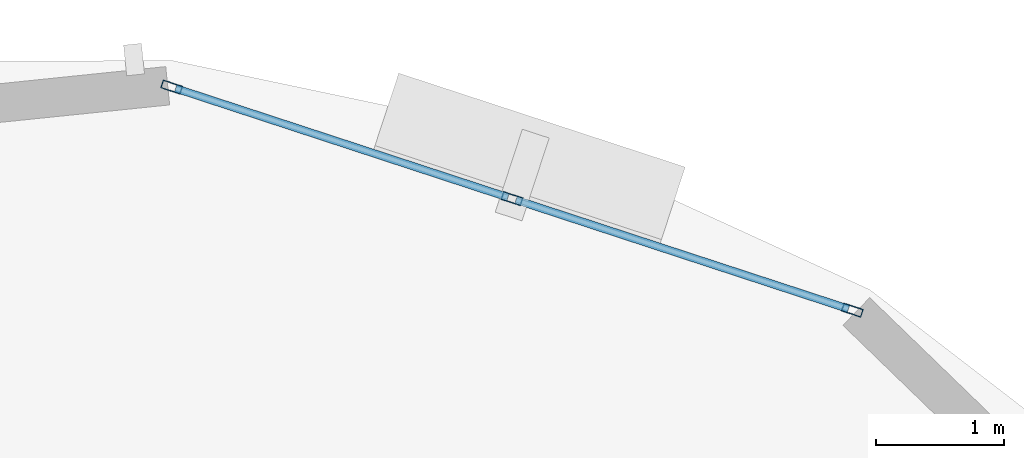
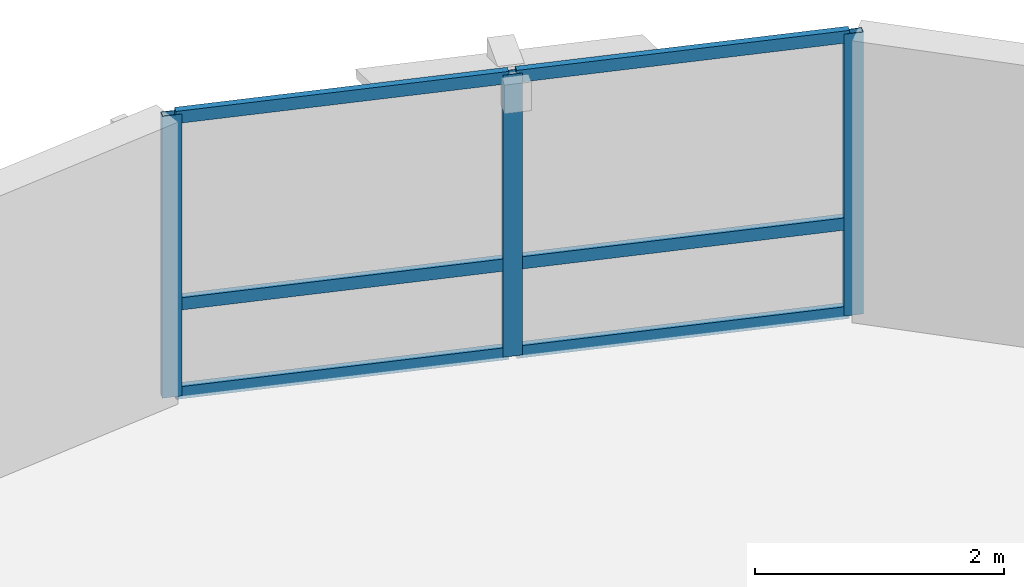
# One storey, part 5 of 11: 9 members, 1 element without a shape of its own.
"""IFC4 building model written with IfcOpenShell, lengths in metres."""

from ifc_helpers import new_model, si_unit, direction, frame, origin, origin_2d, place, context, subcontext, project, spatial, hollow_rectangle, extrude, material, layer, layer_set, material_profile, profile_set, type_object, element, aggregate, save


model = new_model("IFC4")

# Units and contexts
model_context = context("Model", 3, precision=1e-05, world=origin(), true_north=direction((0.0, 1.0)))
body_context = subcontext(model_context, "Body", "Model", "MODEL_VIEW")
ifc_project = project(units=[si_unit("LENGTHUNIT", "METRE"), si_unit("AREAUNIT", "SQUARE_METRE"), si_unit("VOLUMEUNIT", "CUBIC_METRE"), si_unit("PLANEANGLEUNIT", "RADIAN"), si_unit("MASSUNIT", "GRAM", prefix="KILO"), si_unit("THERMODYNAMICTEMPERATUREUNIT", "KELVIN"), si_unit("POWERUNIT", "WATT")], contexts=[model_context])

# Site, building, storey
site_placement = place(None, origin())
site = spatial("IfcSite", under=ifc_project, at=site_placement, CompositionType="ELEMENT")
building_placement = place(site_placement, origin())
building = spatial("IfcBuilding", under=site, at=building_placement, Name="Ocrelia Relay Tower", CompositionType="ELEMENT")
storey_placement = place(building_placement, frame((0.0, 0.0, 273.60009765625)))
storey = spatial("IfcBuildingStorey", under=building, at=storey_placement, Name="L68", CompositionType="ELEMENT", Elevation=273.60009765625)

# Curtain wall, members
ifc_material_1 = material(Name="Aluminium and solar-control low-E glass", Category="aluminium")
ifc_layer = layer(ifc_material_1, 0.179931640625, Name="Aluminium and solar-control low-E glass")
ifc_layer_set = layer_set([ifc_layer], Name="Aluminium and solar-control low-E glass")
curtain_wall_type = type_object("IfcCurtainWallType", Name="CW-SYS-Z4-EXEC", PredefinedType="NOTDEFINED", material=ifc_layer_set)
curtain_wall_placement = place(storey_placement, origin())
curtain_wall = element("IfcCurtainWall", 1, at=curtain_wall_placement, inside=storey, type_object=curtain_wall_type, Name="L68 Elliptical Tower Curtain Wall Bay 01", PredefinedType="NOTDEFINED")
ifc_material_2 = material(Name="Anodised bronze aluminium", Category="aluminium")
ifc_material_profile_1 = material_profile(ifc_material_2, hollow_rectangle(XDim=0.06494140625, YDim=0.159912109375, WallThickness=0.0048828125, at=origin_2d()), Name="CW-MUL-160x65")
ifc_profile_set_1 = profile_set([ifc_material_profile_1], Name="Anodised bronze aluminium")
member_type_1 = type_object("IfcMemberType", Name="CW-SYS-Z4-EXEC-MUL", PredefinedType="MULLION", material=ifc_profile_set_1)
member_1_placement = place(storey_placement, frame((44.81640625, 43.99169921875, 0.0), z_axis=(0.0, 0.0, 1.0), x_axis=(-0.311471813957, -0.950255391519, 0.0)))
member_1 = element("IfcMember", 2, at=member_1_placement, type_object=member_type_1, Name="CW-Z4 mullion 1", PredefinedType="MULLION", context=body_context, shape_type="SweptSolid", body=[
    extrude(hollow_rectangle(XDim=0.06494140625, YDim=0.159912109375, WallThickness=0.0048828125, at=origin_2d()), origin(), (0.0, 0.0, 1.0), 2.760009765625),
])
member_2_placement = place(storey_placement, frame((42.16259765625, 44.861572265625, 0.0), z_axis=(0.0, 0.0, 1.0), x_axis=(-0.311471813957, -0.950255391519, 0.0)))
member_2 = element("IfcMember", 3, at=member_2_placement, type_object=member_type_1, Name="CW-Z4 mullion 2", PredefinedType="MULLION", context=body_context, shape_type="SweptSolid", body=[
    extrude(hollow_rectangle(XDim=0.06494140625, YDim=0.159912109375, WallThickness=0.0048828125, at=origin_2d()), origin(), (0.0, 0.0, 1.0), 2.760009765625),
])
member_3_placement = place(storey_placement, frame((39.5087890625, 45.7314453125, 0.0), z_axis=(0.0, 0.0, 1.0), x_axis=(-0.311471813957, -0.950255391519, 0.0)))
member_3 = element("IfcMember", 4, at=member_3_placement, type_object=member_type_1, Name="CW-Z4 mullion 3", PredefinedType="MULLION", context=body_context, shape_type="SweptSolid", body=[
    extrude(hollow_rectangle(XDim=0.06494140625, YDim=0.159912109375, WallThickness=0.0048828125, at=origin_2d()), origin(), (0.0, 0.0, 1.0), 2.760009765625),
])
ifc_material_profile_2 = material_profile(ifc_material_2, hollow_rectangle(XDim=0.06005859375, YDim=0.1201171875, WallThickness=0.0048828125, at=origin_2d()), Name="CW-TRN-120x60")
ifc_profile_set_2 = profile_set([ifc_material_profile_2], Name="Anodised bronze aluminium")
member_type_2 = type_object("IfcMemberType", Name="CW-SYS-Z4-EXEC-TRN", PredefinedType="USERDEFINED", material=ifc_profile_set_2)
member_4_placement = place(storey_placement, frame((44.785400390625, 44.001953125, 0.02978515625), z_axis=(-0.950273408499, 0.311416841387, 0.0), x_axis=(-0.311416841387, -0.950273408499, 0.0)))
member_4 = element("IfcMember", 5, at=member_4_placement, type_object=member_type_2, Name="CW-Z4 transom 1.1", ObjectType="TRANSOM", PredefinedType="USERDEFINED", context=body_context, shape_type="SweptSolid", body=[
    extrude(hollow_rectangle(XDim=0.06005859375, YDim=0.1201171875, WallThickness=0.0048828125, at=origin_2d()), origin(), (0.0, 0.0, 1.0), 2.7275390625),
])
member_5_placement = place(storey_placement, frame((44.785400390625, 44.001953125, 0.89990234375), z_axis=(-0.950273408499, 0.311416841387, 0.0), x_axis=(-0.311416841387, -0.950273408499, 0.0)))
member_5 = element("IfcMember", 6, at=member_5_placement, type_object=member_type_2, Name="CW-Z4 transom 1.2", ObjectType="TRANSOM", PredefinedType="USERDEFINED", context=body_context, shape_type="SweptSolid", body=[
    extrude(hollow_rectangle(XDim=0.06005859375, YDim=0.1201171875, WallThickness=0.0048828125, at=origin_2d()), origin(), (0.0, 0.0, 1.0), 2.7275390625),
])
member_6_placement = place(storey_placement, frame((44.785400390625, 44.001953125, 2.72998046875), z_axis=(-0.950273408499, 0.311416841387, 0.0), x_axis=(-0.311416841387, -0.950273408499, 0.0)))
member_6 = element("IfcMember", 7, at=member_6_placement, type_object=member_type_2, Name="CW-Z4 transom 1.3", ObjectType="TRANSOM", PredefinedType="USERDEFINED", context=body_context, shape_type="SweptSolid", body=[
    extrude(hollow_rectangle(XDim=0.06005859375, YDim=0.1201171875, WallThickness=0.0048828125, at=origin_2d()), origin(), (0.0, 0.0, 1.0), 2.7275390625),
])
member_7_placement = place(storey_placement, frame((42.1318359375, 44.87158203125, 0.02978515625), z_axis=(-0.950255600219, 0.311471177241, 0.0), x_axis=(-0.311471177241, -0.950255600219, 0.0)))
member_7 = element("IfcMember", 8, at=member_7_placement, type_object=member_type_2, Name="CW-Z4 transom 2.1", ObjectType="TRANSOM", PredefinedType="USERDEFINED", context=body_context, shape_type="SweptSolid", body=[
    extrude(hollow_rectangle(XDim=0.06005859375, YDim=0.1201171875, WallThickness=0.0048828125, at=origin_2d()), origin(), (0.0, 0.0, 1.0), 2.727783203125),
])
member_8_placement = place(storey_placement, frame((42.1318359375, 44.87158203125, 0.89990234375), z_axis=(-0.950255600219, 0.311471177241, 0.0), x_axis=(-0.311471177241, -0.950255600219, 0.0)))
member_8 = element("IfcMember", 9, at=member_8_placement, type_object=member_type_2, Name="CW-Z4 transom 2.2", ObjectType="TRANSOM", PredefinedType="USERDEFINED", context=body_context, shape_type="SweptSolid", body=[
    extrude(hollow_rectangle(XDim=0.06005859375, YDim=0.1201171875, WallThickness=0.0048828125, at=origin_2d()), origin(), (0.0, 0.0, 1.0), 2.727783203125),
])
member_9_placement = place(storey_placement, frame((42.1318359375, 44.87158203125, 2.72998046875), z_axis=(-0.950255600219, 0.311471177241, 0.0), x_axis=(-0.311471177241, -0.950255600219, 0.0)))
member_9 = element("IfcMember", 10, at=member_9_placement, type_object=member_type_2, Name="CW-Z4 transom 2.3", ObjectType="TRANSOM", PredefinedType="USERDEFINED", context=body_context, shape_type="SweptSolid", body=[
    extrude(hollow_rectangle(XDim=0.06005859375, YDim=0.1201171875, WallThickness=0.0048828125, at=origin_2d()), origin(), (0.0, 0.0, 1.0), 2.727783203125),
])
aggregate(curtain_wall, [member_1, member_2, member_3, member_4, member_5, member_6, member_7, member_8, member_9])

save(model, "model.ifc")
